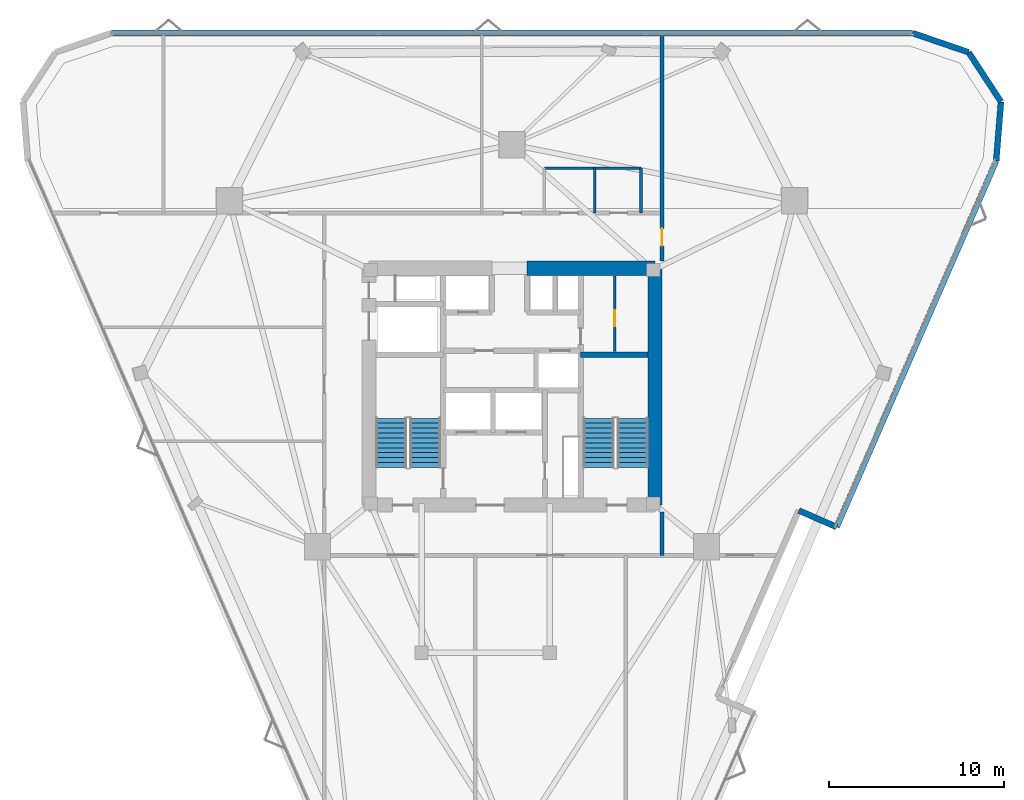
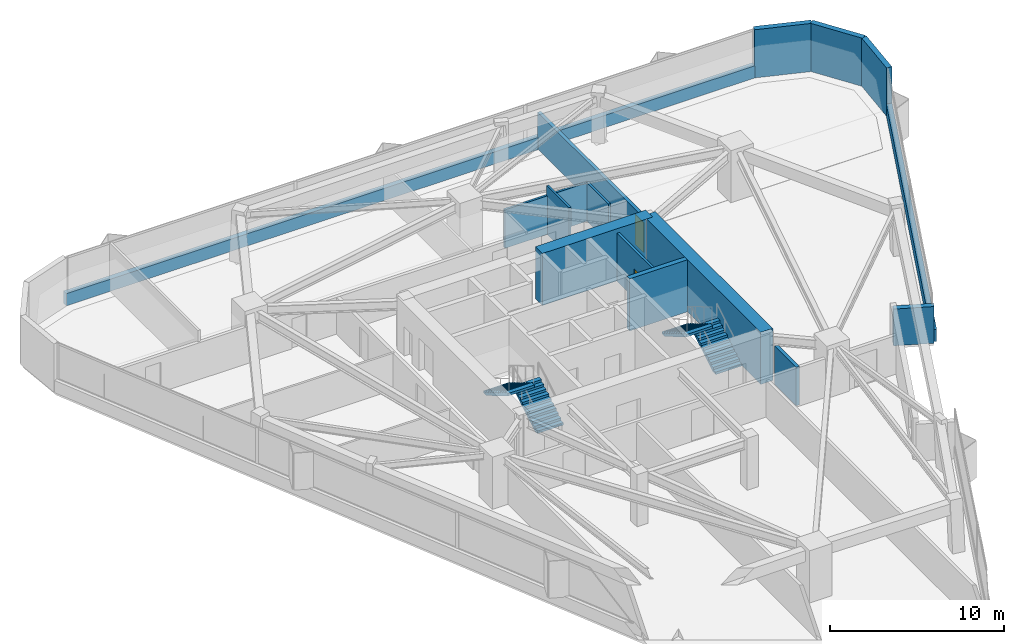
# One storey, part 9 of 12: 15 walls, 4 stair flights, 2 doors, 2 openings, 2 elements without a shape of their own.
"""IFC4 building model written with IfcOpenShell, lengths in metres."""

from ifc_helpers import new_model, si_unit, direction, frame, frame_2d, origin, place, context, subcontext, project, spatial, polyline, rectangle, outline, extrude, material, layer, layer_set, type_object, element, fill, aggregate, save


model = new_model("IFC4")

# Units and contexts
model_context = context("Model", 3, precision=1e-05, world=origin(), true_north=direction((0.0, 1.0)))
body_context = subcontext(model_context, "Body", "Model", "MODEL_VIEW")
ifc_project = project(units=[si_unit("LENGTHUNIT", "METRE"), si_unit("AREAUNIT", "SQUARE_METRE"), si_unit("VOLUMEUNIT", "CUBIC_METRE"), si_unit("PLANEANGLEUNIT", "RADIAN"), si_unit("MASSUNIT", "GRAM", prefix="KILO")], contexts=[model_context])

# Site, building, storey
site_placement = place(None, origin())
site = spatial("IfcSite", under=ifc_project, at=site_placement, CompositionType="ELEMENT")
building_placement = place(site_placement, origin())
building = spatial("IfcBuilding", under=site, at=building_placement, Name="Talyreon Biosciences Tower", CompositionType="ELEMENT")
storey_placement = place(building_placement, frame((0.0, 0.0, 156.39990234375)))
storey = spatial("IfcBuildingStorey", under=building, at=storey_placement, Name="L41", CompositionType="ELEMENT", Elevation=156.39990234375)

# Walls
ifc_material_1 = material(Name="Concrete C50/60", Category="concrete")
ifc_layer_1 = layer(ifc_material_1, 0.320068359375)
ifc_layer_set_1 = layer_set([ifc_layer_1], Name="Concrete C50/60")
wall_type_1 = type_object("IfcWallType", Name="CoreShearWall_320", PredefinedType="SHEAR", material=ifc_layer_set_1)
wall_1_placement = place(storey_placement, frame((69.909912109375, 69.81005859375, 0.0), z_axis=(0.0, 0.0, 1.0), x_axis=(1.0, 0.0, 0.0)))
element("IfcWall", 1, at=wall_1_placement, inside=storey, type_object=wall_type_1, Name="L41 Core Shaft Wall SW2N", PredefinedType="SHEAR", context=body_context, shape_type="SweptSolid", body=[
    extrude(rectangle(XDim=3.840087890625, YDim=0.320068359375, at=frame_2d((1.919921875, 0.0))), origin(), (0.0, 0.0, 1.0), 3.650146484375),
])
ifc_material_2 = material(Name="Concrete C60/75", Category="concrete")
ifc_layer_2 = layer(ifc_material_2, 0.800048828125)
ifc_layer_set_2 = layer_set([ifc_layer_2], Name="Concrete C60/75")
wall_type_2 = type_object("IfcWallType", Name="CoreShearWall_800", PredefinedType="SHEAR", material=ifc_layer_set_2)
wall_2_placement = place(storey_placement, frame((74.14990234375, 61.25, 0.0), z_axis=(0.0, 0.0, 1.0), x_axis=(0.0, 1.0, 0.0)))
element("IfcWall", 2, at=wall_2_placement, inside=storey, type_object=wall_type_2, Name="L41 Core Shear Wall E", PredefinedType="SHEAR", context=body_context, shape_type="SweptSolid", body=[
    extrude(rectangle(XDim=13.5, YDim=0.800048828125, at=frame_2d((6.75, 0.0))), origin(), (0.0, 0.0, 1.0), 3.650146484375),
])
wall_3_placement = place(storey_placement, frame((74.14990234375, 74.75, 0.0), z_axis=(0.0, 0.0, 1.0), x_axis=(-1.0, 0.0, 0.0)))
element("IfcWall", 3, at=wall_3_placement, inside=storey, type_object=wall_type_2, Name="L41 Core Shear Wall NE", PredefinedType="SHEAR", context=body_context, shape_type="SweptSolid", body=[
    extrude(rectangle(XDim=7.2998046875, YDim=0.800048828125, at=frame_2d((3.64990234375, 0.0))), origin(), (0.0, 0.0, 1.0), 3.650146484375),
])

# Wall, opening, door
ifc_material_3 = material(Name="Gypsum fireboard acoustic stud", Category="gypsum")
ifc_layer_3 = layer(ifc_material_3, 0.219970703125)
ifc_layer_set_3 = layer_set([ifc_layer_3], Name="Gypsum fireboard acoustic stud")
wall_type_3 = type_object("IfcWallType", Name="CorridorRatedPartition_220", PredefinedType="PARTITIONING", material=ifc_layer_set_3)
wall_4_placement = place(storey_placement, frame((74.550048828125, 75.14990234375, 0.0), z_axis=(0.0, 0.0, 1.0), x_axis=(0.0, 1.0, 0.0)))
wall_4 = element("IfcWall", 4, at=wall_4_placement, inside=storey, type_object=wall_type_3, Name="L41 Interior Wall IW-L41-ECAP-N", PredefinedType="PARTITIONING", context=body_context, shape_type="SweptSolid", body=[
    extrude(rectangle(XDim=12.91748046875, YDim=0.219970703125, at=frame_2d((6.458740234375, 0.0))), origin(), (0.0, 0.0, 1.0), 2.5751953125),
])
opening_1_placement = place(wall_4_placement, frame((0.875, 0.0, 0.0)))
opening_1 = element("IfcOpeningElement", 5, at=opening_1_placement, cuts=wall_4, Name="Opening DR-L41-E1A", PredefinedType="OPENING", context=body_context, shape_type="SweptSolid", body=[
    extrude(rectangle(XDim=1.0, YDim=2.10009765625, at=frame_2d((0.5, 1.050048828125))), frame((0.0, 0.119873046875, 0.0), z_axis=(0.0, -1.0, 0.0), x_axis=(1.0, 0.0, 0.0)), (0.0, 0.0, 1.0), 0.239990234375),
])
ifc_material_4 = material(Name="Acoustic oak veneer office door", Category="wood")
door_type_1 = type_object("IfcDoorType", Name="WriteupOfficeDoor_1000x2100", OperationType="NOTDEFINED", PredefinedType="DOOR", material=ifc_material_4)
door_1_placement = place(opening_1_placement, origin())
door_1 = element("IfcDoor", 6, at=door_1_placement, inside=storey, type_object=door_type_1, Name="L41 Interior Door DR-L41-E1A", OperationType="SINGLE_SWING_LEFT", OverallHeight=2.10009765625, OverallWidth=1.0, PredefinedType="DOOR", context=body_context, shape_type="SweptSolid", body=[
    extrude(rectangle(XDim=1.0, YDim=2.10009765625, at=frame_2d((0.5, 1.050048828125))), frame((0.0, 0.02490234375, 0.0), z_axis=(0.0, -1.0, 0.0), x_axis=(1.0, 0.0, 0.0)), (0.0, 0.0, 1.0), 0.050048828125),
])
fill(opening_1, door_1)

# Wall
wall_5_placement = place(storey_placement, frame((74.550048828125, 58.3798828125, 0.0), z_axis=(0.0, 0.0, 1.0), x_axis=(0.0, 1.0, 0.0)))
element("IfcWall", 7, at=wall_5_placement, inside=storey, type_object=wall_type_3, Name="L41 Interior Wall IW-L41-ECAP-S", PredefinedType="PARTITIONING", context=body_context, shape_type="SweptSolid", body=[
    extrude(rectangle(XDim=2.47021484375, YDim=0.219970703125, at=frame_2d((1.235107421875, 0.0))), origin(), (0.0, 0.0, 1.0), 2.705078125),
])

# Wall, opening, door
ifc_material_5 = material(Name="Gypsum acoustic stud partition", Category="gypsum")
ifc_layer_4 = layer(ifc_material_5, 0.159912109375)
ifc_layer_set_4 = layer_set([ifc_layer_4], Name="Gypsum acoustic stud partition")
wall_type_4 = type_object("IfcWallType", Name="LabSeparationPartition_160", PredefinedType="PARTITIONING", material=ifc_layer_set_4)
wall_6_placement = place(storey_placement, frame((71.85009765625, 70.0, 0.0), z_axis=(0.0, 0.0, 1.0), x_axis=(0.0, 1.0, 0.0)))
wall_6 = element("IfcWall", 8, at=wall_6_placement, inside=storey, type_object=wall_type_4, Name="L41 Interior Wall IW-L41-CSRV-V", PredefinedType="PARTITIONING", context=body_context, shape_type="SweptSolid", body=[
    extrude(rectangle(XDim=4.300048828125, YDim=0.159912109375, at=frame_2d((2.14990234375, 0.0))), origin(), (0.0, 0.0, 1.0), 3.375),
])
opening_2_placement = place(wall_6_placement, frame((1.449951171875, 0.0, 0.0)))
opening_2 = element("IfcOpeningElement", 9, at=opening_2_placement, cuts=wall_6, Name="Opening DR-L41-CSRV-I", PredefinedType="OPENING", context=body_context, shape_type="SweptSolid", body=[
    extrude(rectangle(XDim=0.919921875, YDim=2.050048828125, at=frame_2d((0.4599609375, 1.02490234375))), frame((0.0, 0.08984375, 0.0), z_axis=(0.0, -1.0, 0.0), x_axis=(1.0, 0.0, 0.0)), (0.0, 0.0, 1.0), 0.179931640625),
])
ifc_material_6 = material(Name="Painted steel fire-rated riser door", Category="steel")
door_type_2 = type_object("IfcDoorType", Name="RiserPlantAccessDoor_920x2050", OperationType="NOTDEFINED", PredefinedType="DOOR", material=ifc_material_6)
door_2_placement = place(opening_2_placement, origin())
door_2 = element("IfcDoor", 10, at=door_2_placement, inside=storey, type_object=door_type_2, Name="L41 Interior Door DR-L41-CSRV-I", OperationType="SINGLE_SWING_RIGHT", OverallHeight=2.050048828125, OverallWidth=0.919921875, PredefinedType="DOOR", context=body_context, shape_type="SweptSolid", body=[
    extrude(rectangle(XDim=0.919921875, YDim=2.050048828125, at=frame_2d((0.4599609375, 1.02490234375))), frame((0.0, 0.02490234375, 0.0), z_axis=(0.0, -1.0, 0.0), x_axis=(1.0, 0.0, 0.0)), (0.0, 0.0, 1.0), 0.050048828125),
])
fill(opening_2, door_2)

# Walls
ifc_material_7 = material(Name="Precast concrete C45/55", Category="concrete")
ifc_layer_5 = layer(ifc_material_7, 0.340087890625)
ifc_layer_set_5 = layer_set([ifc_layer_5], Name="Precast concrete C45/55")
wall_type_5 = type_object("IfcWallType", Name="PrecastConcreteSpandrelWall_340", PredefinedType="STANDARD", material=ifc_layer_set_5)
wall_7_placement = place(storey_placement, frame((43.173095703125, 88.152587890625, 0.0), z_axis=(0.0, 0.0, 1.0), x_axis=(1.0, 0.0, 0.0)))
element("IfcWall", 11, at=wall_7_placement, inside=storey, type_object=wall_type_5, Name="L41 Expressed Concrete Sill Wall 03", PredefinedType="STANDARD", context=body_context, shape_type="SweptSolid", body=[
    extrude(rectangle(XDim=45.65380859375, YDim=0.340087890625, at=frame_2d((22.826904296875, 0.0))), origin(), (0.0, 0.0, 1.0), 0.85009765625),
])
for number, where, z_axis, x_axis, name in (
    (12, (88.826904296875, 88.152587890625, 0.0), (0.0, 0.0, 1.0), (0.945941504684, -0.324337277717, 0.0), "L41 Rounded-Corner Concrete Pier 04"),
    (13, (92.017578125, 87.05859375, 0.0), (0.0, 0.0, 1.0), (0.547933698605, -0.836521764172, 0.0), "L41 Rounded-Corner Concrete Pier 05"),
    (14, (93.86572265625, 84.237060546875, 0.0), (0.0, 0.0, 1.0), (-0.080559330796, -0.99674981526, 0.0), "L41 Rounded-Corner Concrete Pier 06"),
):
    element("IfcWall", number, at=place(storey_placement, frame(where, z_axis=z_axis, x_axis=x_axis)), inside=storey, type_object=wall_type_5, Name=name, PredefinedType="STANDARD", context=body_context, shape_type="SweptSolid", body=[
        extrude(rectangle(XDim=3.373046875, YDim=0.340087890625, at=frame_2d((1.6865234375, 0.0))), origin(), (0.0, 0.0, 1.0), 3.375),
    ])
wall_8_placement = place(storey_placement, frame((93.593994140625, 80.875, 0.0), z_axis=(0.0, 0.0, 1.0), x_axis=(-0.399512872963, -0.916727584584, 0.0)))
element("IfcWall", 15, at=wall_8_placement, inside=storey, type_object=wall_type_5, Name="L41 Expressed Concrete Sill Wall 07", PredefinedType="STANDARD", context=body_context, shape_type="SweptSolid", body=[
    extrude(rectangle(XDim=22.768798828125, YDim=0.340087890625, at=frame_2d((11.38427734375, 0.0))), origin(), (0.0, 0.0, 1.0), 0.85009765625),
])
wall_9_placement = place(storey_placement, frame((84.49755859375, 60.002197265625, 0.0), z_axis=(0.0, 0.0, 1.0), x_axis=(-0.916747673698, 0.399466773047, 0.0)))
element("IfcWall", 16, at=wall_9_placement, inside=storey, type_object=wall_type_5, Name="L41 Terrace Backing Concrete Wall 08", PredefinedType="STANDARD", context=body_context, shape_type="SweptSolid", body=[
    extrude(rectangle(XDim=2.349853515625, YDim=0.340087890625, at=frame_2d((1.1748046875, 0.0))), origin(), (0.0, 0.0, 1.0), 2.5751953125),
])
ifc_material_8 = material(Name="Moisture-resistant cement-board stud", Category="gypsum")
ifc_layer_6 = layer(ifc_material_8, 0.14501953125)
ifc_layer_set_6 = layer_set([ifc_layer_6], Name="Moisture-resistant cement-board stud")
wall_type_6 = type_object("IfcWallType", Name="WetRoomPartition_145", PredefinedType="PARTITIONING", material=ifc_layer_set_6)
wall_10_placement = place(storey_placement, frame((70.72509765625, 77.89990234375, 0.0), z_axis=(0.0, 0.0, 1.0), x_axis=(0.0, 1.0, 0.0)))
element("IfcWall", 17, at=wall_10_placement, inside=storey, type_object=wall_type_6, Name="L41 Interior Wall IW-L41-WCM", PredefinedType="PARTITIONING", context=body_context, shape_type="SweptSolid", body=[
    extrude(rectangle(XDim=2.550048828125, YDim=0.14501953125, at=frame_2d((1.27490234375, 0.0))), origin(), (0.0, 0.0, 1.0), 3.375),
])
wall_11_placement = place(storey_placement, frame((73.35009765625, 77.89990234375, 0.0), z_axis=(0.0, 0.0, 1.0), x_axis=(0.0, 1.0, 0.0)))
element("IfcWall", 18, at=wall_11_placement, inside=storey, type_object=wall_type_6, Name="L41 Interior Wall IW-L41-WCR", PredefinedType="PARTITIONING", context=body_context, shape_type="SweptSolid", body=[
    extrude(rectangle(XDim=2.550048828125, YDim=0.14501953125, at=frame_2d((1.27490234375, 0.0))), origin(), (0.0, 0.0, 1.0), 2.705078125),
])
wall_12_placement = place(storey_placement, frame((67.85009765625, 80.449951171875, 0.0), z_axis=(0.0, 0.0, 1.0), x_axis=(1.0, 0.0, 0.0)))
element("IfcWall", 19, at=wall_12_placement, inside=storey, type_object=wall_type_6, Name="L41 Interior Wall IW-L41-WCT", PredefinedType="PARTITIONING", context=body_context, shape_type="SweptSolid", body=[
    extrude(rectangle(XDim=5.5, YDim=0.14501953125, at=frame_2d((2.75, 0.0))), origin(), (0.0, 0.0, 1.0), 2.705078125),
])

# Stair, stair flights
ifc_material_9 = material(Name="Concrete C40/50", Category="concrete")
stair_type = type_object("IfcStairType", Name="DoglegEscapeStair_3650", PredefinedType="HALF_TURN_STAIR", material=ifc_material_9)
stair_1_placement = place(storey_placement, origin())
stair_1 = element("IfcStair", 20, at=stair_1_placement, inside=storey, type_object=stair_type, Name="L41 Core Escape Stair 1", PredefinedType="HALF_TURN_STAIR")
stair_flight_type = type_object("IfcStairFlightType", Name="PrecastStairFlight_3650", PredefinedType="STRAIGHT", material=ifc_material_9)
stair_flight_1_placement = place(storey_placement, frame((61.06005859375, 63.39990234375, 0.0), z_axis=(0.0, 0.0, 1.0), x_axis=(0.0, 1.0, 0.0)))
stair_flight_1 = element("IfcStairFlight", 21, at=stair_flight_1_placement, type_object=stair_flight_type, Name="ST-1 flight 1", NumberOfRisers=11, NumberOfTreads=10, PredefinedType="STRAIGHT", RiserHeight=0.165909091, TreadLength=0.28, context=body_context, shape_type="SweptSolid", body=[
    extrude(outline(polyline([(0.0, 0.0), (0.0, 0.166015625), (0.280029296875, 0.166015625), (0.280029296875, 0.331787109375), (0.56005859375, 0.331787109375), (0.56005859375, 0.497802734375), (0.840087890625, 0.497802734375), (0.840087890625, 0.66357421875), (1.1201171875, 0.66357421875), (1.1201171875, 0.82958984375), (1.39990234375, 0.82958984375), (1.39990234375, 0.995361328125), (1.679931640625, 0.995361328125), (1.679931640625, 1.161376953125), (1.9599609375, 1.161376953125), (1.9599609375, 1.327392578125), (2.239990234375, 1.327392578125), (2.239990234375, 1.4931640625), (2.52001953125, 1.4931640625), (2.52001953125, 1.6591796875), (2.800048828125, 1.6591796875), (2.800048828125, 1.824951171875), (2.800048828125, 1.48486328125), (0.2939453125, 0.0), (0.0, 0.0)])), frame((0.0, 0.8701171875, 0.0), z_axis=(0.0, -1.0, 0.0), x_axis=(1.0, 0.0, 0.0)), (0.0, 0.0, 1.0), 1.739990234375),
])
stair_flight_2_placement = place(storey_placement, frame((59.1201171875, 66.199951171875, 1.8251953125), z_axis=(0.0, 0.0, 1.0), x_axis=(0.0, -1.0, 0.0)))
stair_flight_2 = element("IfcStairFlight", 22, at=stair_flight_2_placement, type_object=stair_flight_type, Name="ST-1 flight 2", NumberOfRisers=11, NumberOfTreads=10, PredefinedType="STRAIGHT", RiserHeight=0.165909091, TreadLength=0.28, context=body_context, shape_type="SweptSolid", body=[
    extrude(outline(polyline([(0.0, 0.0), (0.0, 0.166015625), (0.280029296875, 0.166015625), (0.280029296875, 0.331787109375), (0.56005859375, 0.331787109375), (0.56005859375, 0.497802734375), (0.840087890625, 0.497802734375), (0.840087890625, 0.66357421875), (1.1201171875, 0.66357421875), (1.1201171875, 0.82958984375), (1.39990234375, 0.82958984375), (1.39990234375, 0.995361328125), (1.679931640625, 0.995361328125), (1.679931640625, 1.161376953125), (1.9599609375, 1.161376953125), (1.9599609375, 1.327392578125), (2.239990234375, 1.327392578125), (2.239990234375, 1.4931640625), (2.52001953125, 1.4931640625), (2.52001953125, 1.6591796875), (2.800048828125, 1.6591796875), (2.800048828125, 1.824951171875), (2.800048828125, 1.48486328125), (0.2939453125, 0.0), (0.0, 0.0)])), frame((0.0, 0.8701171875, 0.0), z_axis=(0.0, -1.0, 0.0), x_axis=(1.0, 0.0, 0.0)), (0.0, 0.0, 1.0), 1.739990234375),
])
aggregate(stair_1, [stair_flight_1, stair_flight_2])

stair_2_placement = place(storey_placement, origin())
stair_2 = element("IfcStair", 23, at=stair_2_placement, inside=storey, type_object=stair_type, Name="L41 Core Escape Stair 2", PredefinedType="HALF_TURN_STAIR")
stair_flight_3_placement = place(storey_placement, frame((72.8798828125, 63.39990234375, 0.0), z_axis=(0.0, 0.0, 1.0), x_axis=(0.0, 1.0, 0.0)))
stair_flight_3 = element("IfcStairFlight", 24, at=stair_flight_3_placement, type_object=stair_flight_type, Name="ST-2 flight 1", NumberOfRisers=11, NumberOfTreads=10, PredefinedType="STRAIGHT", RiserHeight=0.165909091, TreadLength=0.28, context=body_context, shape_type="SweptSolid", body=[
    extrude(outline(polyline([(0.0, 0.0), (0.0, 0.166015625), (0.280029296875, 0.166015625), (0.280029296875, 0.331787109375), (0.56005859375, 0.331787109375), (0.56005859375, 0.497802734375), (0.840087890625, 0.497802734375), (0.840087890625, 0.66357421875), (1.1201171875, 0.66357421875), (1.1201171875, 0.82958984375), (1.39990234375, 0.82958984375), (1.39990234375, 0.995361328125), (1.679931640625, 0.995361328125), (1.679931640625, 1.161376953125), (1.9599609375, 1.161376953125), (1.9599609375, 1.327392578125), (2.239990234375, 1.327392578125), (2.239990234375, 1.4931640625), (2.52001953125, 1.4931640625), (2.52001953125, 1.6591796875), (2.800048828125, 1.6591796875), (2.800048828125, 1.824951171875), (2.800048828125, 1.48486328125), (0.2939453125, 0.0), (0.0, 0.0)])), frame((0.0, 0.8701171875, 0.0), z_axis=(0.0, -1.0, 0.0), x_axis=(1.0, 0.0, 0.0)), (0.0, 0.0, 1.0), 1.739990234375),
])
stair_flight_4_placement = place(storey_placement, frame((70.93994140625, 66.199951171875, 1.8251953125), z_axis=(0.0, 0.0, 1.0), x_axis=(0.0, -1.0, 0.0)))
stair_flight_4 = element("IfcStairFlight", 25, at=stair_flight_4_placement, type_object=stair_flight_type, Name="ST-2 flight 2", NumberOfRisers=11, NumberOfTreads=10, PredefinedType="STRAIGHT", RiserHeight=0.165909091, TreadLength=0.28, context=body_context, shape_type="SweptSolid", body=[
    extrude(outline(polyline([(0.0, 0.0), (0.0, 0.166015625), (0.280029296875, 0.166015625), (0.280029296875, 0.331787109375), (0.56005859375, 0.331787109375), (0.56005859375, 0.497802734375), (0.840087890625, 0.497802734375), (0.840087890625, 0.66357421875), (1.1201171875, 0.66357421875), (1.1201171875, 0.82958984375), (1.39990234375, 0.82958984375), (1.39990234375, 0.995361328125), (1.679931640625, 0.995361328125), (1.679931640625, 1.161376953125), (1.9599609375, 1.161376953125), (1.9599609375, 1.327392578125), (2.239990234375, 1.327392578125), (2.239990234375, 1.4931640625), (2.52001953125, 1.4931640625), (2.52001953125, 1.6591796875), (2.800048828125, 1.6591796875), (2.800048828125, 1.824951171875), (2.800048828125, 1.48486328125), (0.2939453125, 0.0), (0.0, 0.0)])), frame((0.0, 0.8701171875, 0.0), z_axis=(0.0, -1.0, 0.0), x_axis=(1.0, 0.0, 0.0)), (0.0, 0.0, 1.0), 1.739990234375),
])
aggregate(stair_2, [stair_flight_3, stair_flight_4])

save(model, "model.ifc")
